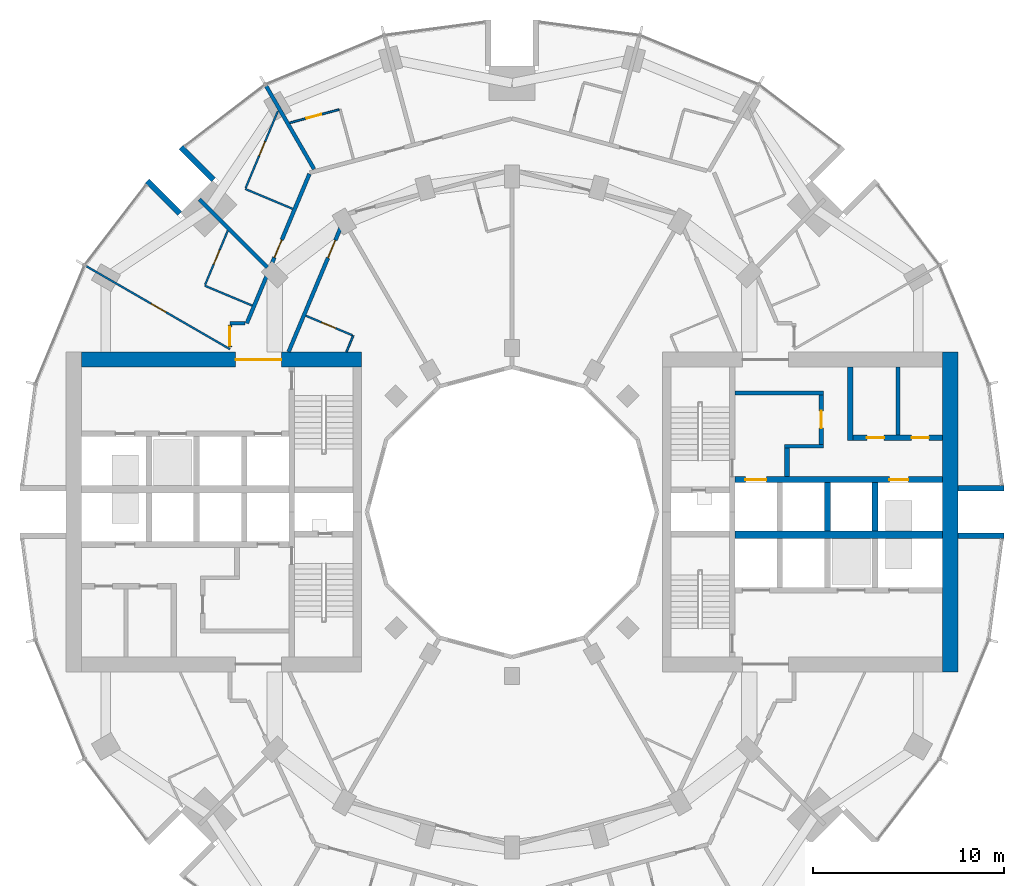
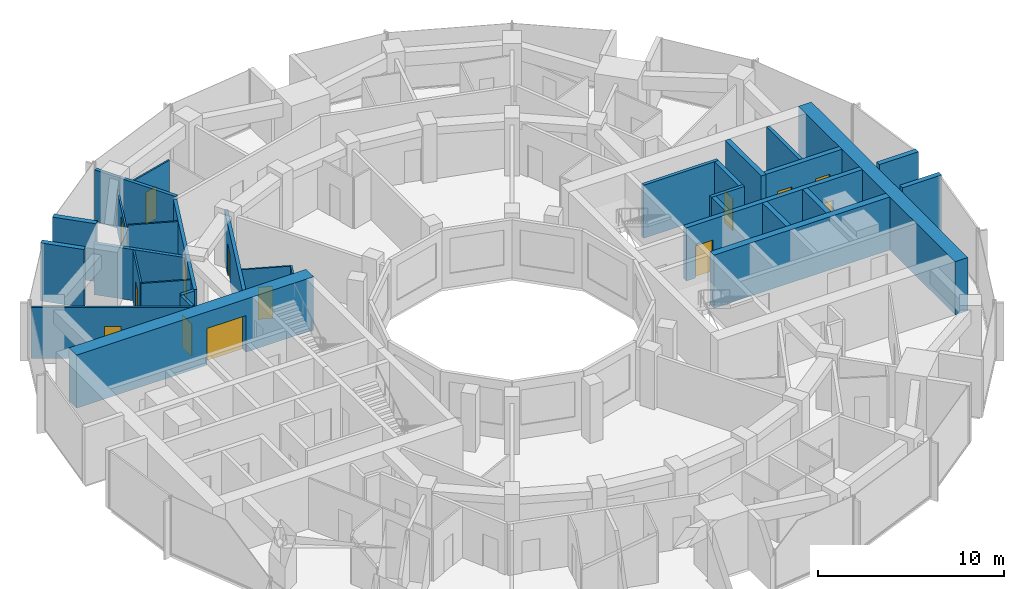
# One storey, part 11 of 15: 31 walls, 14 doors, 14 openings.
"""IFC4 building model written with IfcOpenShell, lengths in metres."""

from ifc_helpers import new_model, si_unit, direction, frame, frame_2d, origin, place, context, subcontext, project, spatial, rectangle, extrude, material, layer, layer_set, type_object, element, fill, save


model = new_model("IFC4")

# Units and contexts
model_context = context("Model", 3, precision=1e-05, world=origin(), true_north=direction((0.0, 1.0)))
body_context = subcontext(model_context, "Body", "Model", "MODEL_VIEW")
ifc_project = project(units=[si_unit("LENGTHUNIT", "METRE"), si_unit("AREAUNIT", "SQUARE_METRE"), si_unit("VOLUMEUNIT", "CUBIC_METRE"), si_unit("PLANEANGLEUNIT", "RADIAN"), si_unit("MASSUNIT", "GRAM", prefix="KILO")], contexts=[model_context])

# Site, building, storey
site_placement = place(None, origin())
site = spatial("IfcSite", under=ifc_project, at=site_placement, CompositionType="ELEMENT")
building_placement = place(site_placement, origin())
building = spatial("IfcBuilding", under=site, at=building_placement, Name="Torre Brocal", CompositionType="ELEMENT")
storey_placement = place(building_placement, frame((0.0, 0.0, 90.0)))
storey = spatial("IfcBuildingStorey", under=building, at=storey_placement, Name="L20", CompositionType="ELEMENT", Elevation=90.0)

# Walls
ifc_material_1 = material(Name="Masonry block", Category="masonry")
ifc_layer_1 = layer(ifc_material_1, 0.199951171875)
ifc_layer_set_1 = layer_set([ifc_layer_1], Name="Masonry block")
wall_type_1 = type_object("IfcWallType", Name="CORE PARTITION 200", PredefinedType="PARTITIONING", material=ifc_layer_set_1)
wall_1_placement = place(storey_placement, frame((100.25, 79.050048828125, 0.0), z_axis=(0.0, 0.0, 1.0), x_axis=(0.0, 1.0, 0.0)))
element("IfcWall", 1, at=wall_1_placement, inside=storey, type_object=wall_type_1, Name="Wall CP200", PredefinedType="PARTITIONING", context=body_context, shape_type="SweptSolid", body=[
    extrude(rectangle(XDim=3.550048828125, YDim=0.199951171875, at=frame_2d((1.77490234375, 0.0))), origin(), (0.0, 0.0, 1.0), 3.47998046875),
])
ifc_material_2 = material(Name="Concrete C80", Category="concrete")
ifc_layer_2 = layer(ifc_material_2, 0.199951171875)
ifc_layer_set_2 = layer_set([ifc_layer_2], Name="Concrete C80")
wall_type_2 = type_object("IfcWallType", Name="CORE WALL 200 C80", PredefinedType="SHEAR", material=ifc_layer_set_2)
wall_2_placement = place(storey_placement, frame((91.699951171875, 81.25, 0.0), z_axis=(0.0, 0.0, 1.0), x_axis=(1.0, 0.0, 0.0)))
element("IfcWall", 2, at=wall_2_placement, inside=storey, type_object=wall_type_2, Name="Wall CW200-80", PredefinedType="SHEAR", context=body_context, shape_type="SweptSolid", body=[
    extrude(rectangle(XDim=4.650146484375, YDim=0.199951171875, at=frame_2d((2.3251953125, 0.0))), origin(), (0.0, 0.0, 1.0), 3.47998046875),
])
wall_3_placement = place(storey_placement, frame((94.300048828125, 78.449951171875, 0.0), z_axis=(0.0, 0.0, 1.0), x_axis=(1.0, 0.0, 0.0)))
element("IfcWall", 3, at=wall_3_placement, inside=storey, type_object=wall_type_2, Name="Wall CW200-80", PredefinedType="SHEAR", context=body_context, shape_type="SweptSolid", body=[
    extrude(rectangle(XDim=2.050048828125, YDim=0.199951171875, at=frame_2d((1.02490234375, 0.0))), origin(), (0.0, 0.0, 1.0), 3.47998046875),
])

# Wall, opening, door
ifc_material_3 = material(Name="Concrete C80", Category="concrete")
ifc_layer_3 = layer(ifc_material_3, 0.25)
ifc_layer_set_3 = layer_set([ifc_layer_3], Name="Concrete C80")
wall_type_3 = type_object("IfcWallType", Name="CORE WALL 250 C80", PredefinedType="SHEAR", material=ifc_layer_set_3)
wall_4_placement = place(storey_placement, frame((96.22509765625, 78.550048828125, 0.0), z_axis=(0.0, 0.0, 1.0), x_axis=(0.0, 1.0, 0.0)))
wall_4 = element("IfcWall", 4, at=wall_4_placement, inside=storey, type_object=wall_type_3, Name="Wall CW250-80", PredefinedType="SHEAR", context=body_context, shape_type="SweptSolid", body=[
    extrude(rectangle(XDim=2.599853515625, YDim=0.25, at=frame_2d((1.2998046875, 0.0))), origin(), (0.0, 0.0, 1.0), 3.47998046875),
])
opening_1_placement = place(wall_4_placement, frame((0.85009765625, 0.0, 0.0)))
opening_1 = element("IfcOpeningElement", 5, at=opening_1_placement, cuts=wall_4, Name="Opening E-D15", PredefinedType="OPENING", context=body_context, shape_type="SweptSolid", body=[
    extrude(rectangle(XDim=0.89990234375, YDim=2.10009765625, at=frame_2d((0.449951171875, 1.050048828125))), frame((0.0, 0.135009765625, 0.0), z_axis=(0.0, -1.0, 0.0), x_axis=(1.0, 0.0, 0.0)), (0.0, 0.0, 1.0), 0.27001953125),
])
ifc_material_4 = material(Name="Steel A653", Category="steel")
door_type_1 = type_object("IfcDoorType", Name="LOBBY DOOR FD120 900X2100", OperationType="SINGLE_SWING_RIGHT", PredefinedType="DOOR", material=ifc_material_4)
door_1_placement = place(opening_1_placement, origin())
door_1 = element("IfcDoor", 6, at=door_1_placement, inside=storey, type_object=door_type_1, Name="Door E-D15", OperationType="SINGLE_SWING_LEFT", OverallHeight=2.10009765625, OverallWidth=0.89990234375, PredefinedType="DOOR", context=body_context, shape_type="SweptSolid", body=[
    extrude(rectangle(XDim=0.89990234375, YDim=2.10009765625, at=frame_2d((0.449951171875, 1.050048828125))), frame((0.0, 0.02490234375, 0.0), z_axis=(0.0, -1.0, 0.0), x_axis=(1.0, 0.0, 0.0)), (0.0, 0.0, 1.0), 0.050048828125),
])
fill(opening_1, door_1)

# Wall
wall_5_placement = place(storey_placement, frame((94.425048828125, 76.85009765625, 0.0), z_axis=(0.0, 0.0, 1.0), x_axis=(0.0, 1.0, 0.0)))
element("IfcWall", 7, at=wall_5_placement, inside=storey, type_object=wall_type_3, Name="Wall CW250-80", PredefinedType="SHEAR", context=body_context, shape_type="SweptSolid", body=[
    extrude(rectangle(XDim=1.5, YDim=0.25, at=frame_2d((0.75, 0.0))), origin(), (0.0, 0.0, 1.0), 3.47998046875),
])

# Wall, openings, doors
ifc_material_5 = material(Name="Concrete C80", Category="concrete")
ifc_layer_4 = layer(ifc_material_5, 0.300048828125)
ifc_layer_set_4 = layer_set([ifc_layer_4], Name="Concrete C80")
wall_type_4 = type_object("IfcWallType", Name="CORE WALL 300 C80", PredefinedType="SHEAR", material=ifc_layer_set_4)
wall_6_placement = place(storey_placement, frame((91.699951171875, 76.699951171875, 0.0), z_axis=(0.0, 0.0, 1.0), x_axis=(1.0, 0.0, 0.0)))
wall_6 = element("IfcWall", 8, at=wall_6_placement, inside=storey, type_object=wall_type_4, Name="Wall CW300-80", PredefinedType="SHEAR", context=body_context, shape_type="SweptSolid", body=[
    extrude(rectangle(XDim=10.900146484375, YDim=0.300048828125, at=frame_2d((5.4501953125, 0.0))), origin(), (0.0, 0.0, 1.0), 3.47998046875),
])
opening_2_placement = place(wall_6_placement, frame((0.550048828125, 0.0, 0.0)))
opening_2 = element("IfcOpeningElement", 9, at=opening_2_placement, cuts=wall_6, Name="Opening LD", PredefinedType="OPENING", context=body_context, shape_type="SweptSolid", body=[
    extrude(rectangle(XDim=1.10009765625, YDim=2.10009765625, at=frame_2d((0.550048828125, 1.050048828125))), frame((0.0, 0.159912109375, 0.0), z_axis=(0.0, -1.0, 0.0), x_axis=(1.0, 0.0, 0.0)), (0.0, 0.0, 1.0), 0.320068359375),
])
opening_3_placement = place(wall_6_placement, frame((8.10009765625, 0.0, 0.0)))
opening_3 = element("IfcOpeningElement", 10, at=opening_3_placement, cuts=wall_6, Name="Opening LD10", PredefinedType="OPENING", context=body_context, shape_type="SweptSolid", body=[
    extrude(rectangle(XDim=1.0, YDim=2.10009765625, at=frame_2d((0.5, 1.050048828125))), frame((0.0, 0.159912109375, 0.0), z_axis=(0.0, -1.0, 0.0), x_axis=(1.0, 0.0, 0.0)), (0.0, 0.0, 1.0), 0.320068359375),
])
ifc_material_6 = material(Name="Stainless steel AISI 316", Category="steel")
door_type_2 = type_object("IfcDoorType", Name="LIFT LANDING DOOR 1000X2100", OperationType="DOUBLE_DOOR_SLIDING", PredefinedType="DOOR", material=ifc_material_6)
door_2_placement = place(opening_3_placement, origin())
door_2 = element("IfcDoor", 11, at=door_2_placement, inside=storey, type_object=door_type_2, Name="Door LD10", OperationType="DOUBLE_DOOR_SLIDING", OverallHeight=2.10009765625, OverallWidth=1.0, PredefinedType="DOOR", context=body_context, shape_type="SweptSolid", body=[
    extrude(rectangle(XDim=1.0, YDim=2.10009765625, at=frame_2d((0.5, 1.050048828125))), frame((0.0, 0.02490234375, 0.0), z_axis=(0.0, -1.0, 0.0), x_axis=(1.0, 0.0, 0.0)), (0.0, 0.0, 1.0), 0.050048828125),
])
fill(opening_3, door_2)
ifc_material_7 = material(Name="Stainless steel AISI 316", Category="steel")
door_type_3 = type_object("IfcDoorType", Name="LIFT LANDING DOOR 1100X2100", OperationType="DOUBLE_DOOR_SLIDING", PredefinedType="DOOR", material=ifc_material_7)
door_3_placement = place(opening_2_placement, origin())
door_3 = element("IfcDoor", 12, at=door_3_placement, inside=storey, type_object=door_type_3, Name="Door LD", OperationType="DOUBLE_DOOR_SLIDING", OverallHeight=2.10009765625, OverallWidth=1.10009765625, PredefinedType="DOOR", context=body_context, shape_type="SweptSolid", body=[
    extrude(rectangle(XDim=1.10009765625, YDim=2.10009765625, at=frame_2d((0.550048828125, 1.050048828125))), frame((0.0, 0.02490234375, 0.0), z_axis=(0.0, -1.0, 0.0), x_axis=(1.0, 0.0, 0.0)), (0.0, 0.0, 1.0), 0.050048828125),
])
fill(opening_2, door_3)

# Walls
for number, where, z_axis, x_axis, name in (
    (13, (96.550048828125, 74.0, 0.0), (0.0, 0.0, 1.0), (0.0, 1.0, 0.0), "Wall CW300-80"),
    (14, (99.050048828125, 74.0, 0.0), (0.0, 0.0, 1.0), (0.0, 1.0, 0.0), "Wall CW300-80"),
):
    element("IfcWall", number, at=place(storey_placement, frame(where, z_axis=z_axis, x_axis=x_axis)), inside=storey, type_object=wall_type_4, Name=name, PredefinedType="SHEAR", context=body_context, shape_type="SweptSolid", body=[
        extrude(rectangle(XDim=2.550048828125, YDim=0.300048828125, at=frame_2d((1.27490234375, 0.0))), origin(), (0.0, 0.0, 1.0), 3.47998046875),
    ])
wall_7_placement = place(storey_placement, frame((97.75, 78.75, 0.0), z_axis=(0.0, 0.0, 1.0), x_axis=(0.0, 1.0, 0.0)))
element("IfcWall", 15, at=wall_7_placement, inside=storey, type_object=wall_type_4, Name="Wall CW300-80", PredefinedType="SHEAR", context=body_context, shape_type="SweptSolid", body=[
    extrude(rectangle(XDim=3.85009765625, YDim=0.300048828125, at=frame_2d((1.925048828125, 0.0))), origin(), (0.0, 0.0, 1.0), 3.47998046875),
])

# Wall, openings, doors
wall_8_placement = place(storey_placement, frame((97.89990234375, 78.89990234375, 0.0), z_axis=(0.0, 0.0, 1.0), x_axis=(1.0, 0.0, 0.0)))
wall_8 = element("IfcWall", 16, at=wall_8_placement, inside=storey, type_object=wall_type_4, Name="Wall CW300-80", PredefinedType="SHEAR", context=body_context, shape_type="SweptSolid", body=[
    extrude(rectangle(XDim=4.7001953125, YDim=0.300048828125, at=frame_2d((2.35009765625, 0.0))), origin(), (0.0, 0.0, 1.0), 3.47998046875),
])
opening_4_placement = place(wall_8_placement, frame((0.72509765625, 0.0, 0.0)))
opening_4 = element("IfcOpeningElement", 17, at=opening_4_placement, cuts=wall_8, Name="Opening E-D05", PredefinedType="OPENING", context=body_context, shape_type="SweptSolid", body=[
    extrude(rectangle(XDim=0.89990234375, YDim=2.10009765625, at=frame_2d((0.449951171875, 1.050048828125))), frame((0.0, 0.159912109375, 0.0), z_axis=(0.0, -1.0, 0.0), x_axis=(1.0, 0.0, 0.0)), (0.0, 0.0, 1.0), 0.320068359375),
])
opening_5_placement = place(wall_8_placement, frame((3.074951171875, 0.0, 0.0)))
opening_5 = element("IfcOpeningElement", 18, at=opening_5_placement, cuts=wall_8, Name="Opening E-D06", PredefinedType="OPENING", context=body_context, shape_type="SweptSolid", body=[
    extrude(rectangle(XDim=0.89990234375, YDim=2.10009765625, at=frame_2d((0.449951171875, 1.050048828125))), frame((0.0, 0.159912109375, 0.0), z_axis=(0.0, -1.0, 0.0), x_axis=(1.0, 0.0, 0.0)), (0.0, 0.0, 1.0), 0.320068359375),
])
ifc_material_8 = material(Name="Steel A653", Category="steel")
door_type_4 = type_object("IfcDoorType", Name="ROOM DOOR FD30S 900X2100", OperationType="SINGLE_SWING_LEFT", PredefinedType="DOOR", material=ifc_material_8)
door_4_placement = place(opening_4_placement, origin())
door_4 = element("IfcDoor", 19, at=door_4_placement, inside=storey, type_object=door_type_4, Name="Door E-D05", OperationType="SINGLE_SWING_RIGHT", OverallHeight=2.10009765625, OverallWidth=0.89990234375, PredefinedType="DOOR", context=body_context, shape_type="SweptSolid", body=[
    extrude(rectangle(XDim=0.89990234375, YDim=2.10009765625, at=frame_2d((0.449951171875, 1.050048828125))), frame((0.0, 0.02490234375, 0.0), z_axis=(0.0, -1.0, 0.0), x_axis=(1.0, 0.0, 0.0)), (0.0, 0.0, 1.0), 0.050048828125),
])
fill(opening_4, door_4)
door_5_placement = place(opening_5_placement, origin())
door_5 = element("IfcDoor", 20, at=door_5_placement, inside=storey, type_object=door_type_4, Name="Door E-D06", OperationType="SINGLE_SWING_LEFT", OverallHeight=2.10009765625, OverallWidth=0.89990234375, PredefinedType="DOOR", context=body_context, shape_type="SweptSolid", body=[
    extrude(rectangle(XDim=0.89990234375, YDim=2.10009765625, at=frame_2d((0.449951171875, 1.050048828125))), frame((0.0, 0.02490234375, 0.0), z_axis=(0.0, -1.0, 0.0), x_axis=(1.0, 0.0, 0.0)), (0.0, 0.0, 1.0), 0.050048828125),
])
fill(opening_5, door_5)

# Walls
ifc_material_9 = material(Name="Concrete C80", Category="concrete")
ifc_layer_5 = layer(ifc_material_9, 0.39990234375)
ifc_layer_set_5 = layer_set([ifc_layer_5], Name="Concrete C80")
wall_type_5 = type_object("IfcWallType", Name="CORE WALL 400 C80", PredefinedType="SHEAR", material=ifc_layer_set_5)
wall_9_placement = place(storey_placement, frame((91.699951171875, 73.800048828125, 0.0), z_axis=(0.0, 0.0, 1.0), x_axis=(1.0, 0.0, 0.0)))
element("IfcWall", 21, at=wall_9_placement, inside=storey, type_object=wall_type_5, Name="Wall CW400-80", PredefinedType="SHEAR", context=body_context, shape_type="SweptSolid", body=[
    extrude(rectangle(XDim=10.900146484375, YDim=0.39990234375, at=frame_2d((5.4501953125, 0.0))), origin(), (0.0, 0.0, 1.0), 3.47998046875),
])
ifc_material_10 = material(Name="Concrete C80", Category="concrete")
ifc_layer_6 = layer(ifc_material_10, 0.800048828125)
ifc_layer_set_6 = layer_set([ifc_layer_6], Name="Concrete C80")
wall_type_6 = type_object("IfcWallType", Name="CORE WALL 800 C80", PredefinedType="SHEAR", material=ifc_layer_set_6)
wall_10_placement = place(storey_placement, frame((103.0, 66.60009765625, 0.0), z_axis=(0.0, 0.0, 1.0), x_axis=(0.0, 1.0, 0.0)))
element("IfcWall", 22, at=wall_10_placement, inside=storey, type_object=wall_type_6, Name="Wall CW800-80", PredefinedType="SHEAR", context=body_context, shape_type="SweptSolid", body=[
    extrude(rectangle(XDim=16.7998046875, YDim=0.800048828125, at=frame_2d((8.39990234375, 0.0))), origin(), (0.0, 0.0, 1.0), 3.47998046875),
])

# Wall, opening, door
wall_11_placement = place(storey_placement, frame((72.10009765625, 83.0, 0.0), z_axis=(0.0, 0.0, 1.0), x_axis=(-1.0, 0.0, 0.0)))
wall_11 = element("IfcWall", 23, at=wall_11_placement, inside=storey, type_object=wall_type_6, Name="Wall CW800-80", PredefinedType="SHEAR", context=body_context, shape_type="SweptSolid", body=[
    extrude(rectangle(XDim=14.7001953125, YDim=0.800048828125, at=frame_2d((7.35009765625, 0.0))), origin(), (0.0, 0.0, 1.0), 3.47998046875),
])
opening_6_placement = place(wall_11_placement, frame((4.199951171875, 0.0, 0.0)))
opening_6 = element("IfcOpeningElement", 24, at=opening_6_placement, cuts=wall_11, Name="Opening W-D27", PredefinedType="OPENING", context=body_context, shape_type="SweptSolid", body=[
    extrude(rectangle(XDim=2.39990234375, YDim=2.39990234375, at=frame_2d((1.199951171875, 1.199951171875))), frame((0.0, 0.409912109375, 0.0), z_axis=(0.0, -1.0, 0.0), x_axis=(1.0, 0.0, 0.0)), (0.0, 0.0, 1.0), 0.820068359375),
])
ifc_material_11 = material(Name="Steel A653", Category="steel")
door_type_5 = type_object("IfcDoorType", Name="DOUBLE FIRE DOOR FD90 2400X2400", OperationType="DOUBLE_DOOR_SINGLE_SWING", PredefinedType="DOOR", material=ifc_material_11)
door_6_placement = place(opening_6_placement, origin())
door_6 = element("IfcDoor", 25, at=door_6_placement, inside=storey, type_object=door_type_5, Name="Door W-D27", OperationType="DOUBLE_DOOR_SINGLE_SWING", OverallHeight=2.39990234375, OverallWidth=2.39990234375, PredefinedType="DOOR", context=body_context, shape_type="SweptSolid", body=[
    extrude(rectangle(XDim=2.39990234375, YDim=2.39990234375, at=frame_2d((1.199951171875, 1.199951171875))), frame((0.0, 0.02490234375, 0.0), z_axis=(0.0, -1.0, 0.0), x_axis=(1.0, 0.0, 0.0)), (0.0, 0.0, 1.0), 0.050048828125),
])
fill(opening_6, door_6)

# Walls
ifc_material_12 = material(Name="Concrete C80", Category="concrete")
ifc_layer_7 = layer(ifc_material_12, 0.300048828125)
ifc_layer_set_7 = layer_set([ifc_layer_7], Name="Concrete C80")
wall_type_7 = type_object("IfcWallType", Name="NOTCH RETURN WALL 300 C80", PredefinedType="NOTDEFINED", material=ifc_layer_set_7)
for number, where, z_axis, x_axis, name in (
    (26, (103.39990234375, 73.75, 0.0), (0.0, 0.0, 1.0), (1.0, 0.0, 0.0), "NOTCH RETURN WALL"),
    (27, (103.39990234375, 76.25, 0.0), (0.0, 0.0, 1.0), (1.0, 0.0, 0.0), "NOTCH RETURN WALL"),
    (28, (64.337646484375, 92.43017578125, 0.0), (0.0, 0.0, 1.0), (-0.707106781187, 0.707106781187, 0.0), "NOTCH RETURN WALL"),
    (29, (62.56982421875, 90.662353515625, 0.0), (0.0, 0.0, 1.0), (-0.707106781187, 0.707106781187, 0.0), "NOTCH RETURN WALL"),
):
    element("IfcWall", number, at=place(storey_placement, frame(where, z_axis=z_axis, x_axis=x_axis)), inside=storey, type_object=wall_type_7, Name=name, PredefinedType="NOTDEFINED", context=body_context, shape_type="SweptSolid", body=[
        extrude(rectangle(XDim=2.415771484375, YDim=0.300048828125, at=frame_2d((1.2080078125, 0.0))), origin(), (0.0, 0.0, 1.0), 3.800048828125),
    ])

# Wall, opening, door
ifc_material_13 = material(Name="Gypsum board", Category="Gypsum")
ifc_layer_8 = layer(ifc_material_13, 0.10009765625)
ifc_layer_set_8 = layer_set([ifc_layer_8], Name="Gypsum board")
wall_type_8 = type_object("IfcWallType", Name="PARTITION 100", PredefinedType="PARTITIONING", material=ifc_layer_set_8)
wall_12_placement = place(storey_placement, frame((57.65869140625, 87.89892578125, 0.0), z_axis=(0.0, 0.0, 1.0), x_axis=(0.86602264145, -0.500004784474, 0.0)))
wall_12 = element("IfcWall", 30, at=wall_12_placement, inside=storey, type_object=wall_type_8, Name="ROOM PARTITION", PredefinedType="PARTITIONING", context=body_context, shape_type="SweptSolid", body=[
    extrude(rectangle(XDim=8.7080078125, YDim=0.10009765625, at=frame_2d((4.35400390625, 0.0))), origin(), (0.0, 0.0, 1.0), 3.35009765625),
])
opening_7_placement = place(wall_12_placement, frame((3.928955078125, 0.0, 0.0)))
opening_7 = element("IfcOpeningElement", 31, at=opening_7_placement, cuts=wall_12, Name="Opening H05-D16", PredefinedType="OPENING", context=body_context, shape_type="SweptSolid", body=[
    extrude(rectangle(XDim=0.89990234375, YDim=2.10009765625, at=frame_2d((0.449951171875, 1.050048828125))), frame((0.0, 0.06005859375, 0.0), z_axis=(0.0, -1.0, 0.0), x_axis=(1.0, 0.0, 0.0)), (0.0, 0.0, 1.0), 0.1201171875),
])
ifc_material_14 = material(Name="Timber", Category="wood")
door_type_6 = type_object("IfcDoorType", Name="ROOM DOOR 900X2100", OperationType="SINGLE_SWING_LEFT", PredefinedType="DOOR", material=ifc_material_14)
door_7_placement = place(opening_7_placement, frame((0.89990234375, 0.0, 0.0), z_axis=(0.0, 0.0, 1.0), x_axis=(-1.0, 0.0, 0.0)))
door_7 = element("IfcDoor", 32, at=door_7_placement, inside=storey, type_object=door_type_6, Name="H05-D16", OperationType="SINGLE_SWING_LEFT", OverallHeight=2.10009765625, OverallWidth=0.89990234375, PredefinedType="DOOR", context=body_context, shape_type="SweptSolid", body=[
    extrude(rectangle(XDim=0.89990234375, YDim=2.10009765625, at=frame_2d((0.449951171875, 1.050048828125))), frame((0.0, 0.02490234375, 0.0), z_axis=(0.0, -1.0, 0.0), x_axis=(1.0, 0.0, 0.0)), (0.0, 0.0, 1.0), 0.050048828125),
])
fill(opening_7, door_7)

wall_13_placement = place(storey_placement, frame((63.89599609375, 86.92041015625, 0.0), z_axis=(0.0, 0.0, 1.0), x_axis=(0.386485049699, 0.922295671875, 0.0)))
wall_13 = element("IfcWall", 33, at=wall_13_placement, inside=storey, type_object=wall_type_8, Name="BATHROOM WALL", PredefinedType="PARTITIONING", context=body_context, shape_type="SweptSolid", body=[
    extrude(rectangle(XDim=3.076904296875, YDim=0.10009765625, at=frame_2d((1.53857421875, 0.0))), origin(), (0.0, 0.0, 1.0), 3.35009765625),
])
opening_8_placement = place(wall_13_placement, frame((1.173583984375, 0.0, 0.0)))
opening_8 = element("IfcOpeningElement", 34, at=opening_8_placement, cuts=wall_13, Name="Opening H05-D15", PredefinedType="OPENING", context=body_context, shape_type="SweptSolid", body=[
    extrude(rectangle(XDim=0.800048828125, YDim=2.10009765625, at=frame_2d((0.39990234375, 1.050048828125))), frame((0.0, 0.06005859375, 0.0), z_axis=(0.0, -1.0, 0.0), x_axis=(1.0, 0.0, 0.0)), (0.0, 0.0, 1.0), 0.1201171875),
])
ifc_material_15 = material(Name="Timber", Category="wood")
door_type_7 = type_object("IfcDoorType", Name="BATHROOM DOOR 800X2100", OperationType="SINGLE_SWING_LEFT", PredefinedType="DOOR", material=ifc_material_15)
door_8_placement = place(opening_8_placement, frame((0.800048828125, 0.0, 0.0), z_axis=(0.0, 0.0, 1.0), x_axis=(-1.0, 0.0, 0.0)))
door_8 = element("IfcDoor", 35, at=door_8_placement, inside=storey, type_object=door_type_7, Name="H05-D15", OperationType="SINGLE_SWING_LEFT", OverallHeight=2.10009765625, OverallWidth=0.800048828125, PredefinedType="DOOR", context=body_context, shape_type="SweptSolid", body=[
    extrude(rectangle(XDim=0.800048828125, YDim=2.10009765625, at=frame_2d((0.39990234375, 1.050048828125))), frame((0.0, 0.02490234375, 0.0), z_axis=(0.0, -1.0, 0.0), x_axis=(1.0, 0.0, 0.0)), (0.0, 0.0, 1.0), 0.050048828125),
])
fill(opening_8, door_8)

# Walls
for number, where, z_axis, x_axis, name in (
    (36, (63.876953125, 86.8740234375, 0.0), (0.0, 0.0, 1.0), (0.922350337209, -0.386354572188, 0.0), "BATHROOM WALL"),
    (37, (66.0029296875, 91.949951171875, 0.0), (0.0, 0.0, 1.0), (0.922350337209, -0.386354572188, 0.0), "BATHROOM WALL"),
):
    element("IfcWall", number, at=place(storey_placement, frame(where, z_axis=z_axis, x_axis=x_axis)), inside=storey, type_object=wall_type_8, Name=name, PredefinedType="PARTITIONING", context=body_context, shape_type="SweptSolid", body=[
        extrude(rectangle(XDim=2.7001953125, YDim=0.10009765625, at=frame_2d((1.35009765625, 0.0))), origin(), (0.0, 0.0, 1.0), 3.35009765625),
    ])

# Wall, opening, door
wall_14_placement = place(storey_placement, frame((68.34326171875, 95.421142578125, 0.0), z_axis=(0.0, 0.0, 1.0), x_axis=(0.965922846648, 0.258830165017, 0.0)))
wall_14 = element("IfcWall", 38, at=wall_14_placement, inside=storey, type_object=wall_type_8, Name="BATHROOM WALL", PredefinedType="PARTITIONING", context=body_context, shape_type="SweptSolid", body=[
    extrude(rectangle(XDim=2.6806640625, YDim=0.10009765625, at=frame_2d((1.34033203125, 0.0))), origin(), (0.0, 0.0, 1.0), 3.35009765625),
])
opening_9_placement = place(wall_14_placement, frame((0.905029296875, 0.0, 0.0)))
opening_9 = element("IfcOpeningElement", 39, at=opening_9_placement, cuts=wall_14, Name="Opening H05-D11", PredefinedType="OPENING", context=body_context, shape_type="SweptSolid", body=[
    extrude(rectangle(XDim=0.800048828125, YDim=2.10009765625, at=frame_2d((0.39990234375, 1.050048828125))), frame((0.0, 0.06005859375, 0.0), z_axis=(0.0, -1.0, 0.0), x_axis=(1.0, 0.0, 0.0)), (0.0, 0.0, 1.0), 0.1201171875),
])
door_9_placement = place(opening_9_placement, frame((0.800048828125, 0.0, 0.0), z_axis=(0.0, 0.0, 1.0), x_axis=(-1.0, 0.0, 0.0)))
door_9 = element("IfcDoor", 40, at=door_9_placement, inside=storey, type_object=door_type_7, Name="H05-D11", OperationType="SINGLE_SWING_RIGHT", OverallHeight=2.10009765625, OverallWidth=0.800048828125, PredefinedType="DOOR", context=body_context, shape_type="SweptSolid", body=[
    extrude(rectangle(XDim=0.800048828125, YDim=2.10009765625, at=frame_2d((0.39990234375, 1.050048828125))), frame((0.0, 0.02490234375, 0.0), z_axis=(0.0, -1.0, 0.0), x_axis=(1.0, 0.0, 0.0)), (0.0, 0.0, 1.0), 0.050048828125),
])
fill(opening_9, door_9)

wall_15_placement = place(storey_placement, frame((69.1806640625, 85.298095703125, 0.0), z_axis=(0.0, 0.0, 1.0), x_axis=(0.922377635784, -0.38628939541, 0.0)))
wall_15 = element("IfcWall", 41, at=wall_15_placement, inside=storey, type_object=wall_type_8, Name="BATHROOM WALL", PredefinedType="PARTITIONING", context=body_context, shape_type="SweptSolid", body=[
    extrude(rectangle(XDim=2.650146484375, YDim=0.10009765625, at=frame_2d((1.3251953125, 0.0))), origin(), (0.0, 0.0, 1.0), 3.35009765625),
])
opening_10_placement = place(wall_15_placement, frame((0.89990234375, 0.0, 0.0)))
opening_10 = element("IfcOpeningElement", 42, at=opening_10_placement, cuts=wall_15, Name="Opening H05-D23", PredefinedType="OPENING", context=body_context, shape_type="SweptSolid", body=[
    extrude(rectangle(XDim=0.800048828125, YDim=2.10009765625, at=frame_2d((0.39990234375, 1.050048828125))), frame((0.0, 0.06005859375, 0.0), z_axis=(0.0, -1.0, 0.0), x_axis=(1.0, 0.0, 0.0)), (0.0, 0.0, 1.0), 0.1201171875),
])
door_10_placement = place(opening_10_placement, frame((0.800048828125, 0.0, 0.0), z_axis=(0.0, 0.0, 1.0), x_axis=(-1.0, 0.0, 0.0)))
door_10 = element("IfcDoor", 43, at=door_10_placement, inside=storey, type_object=door_type_7, Name="H05-D23", OperationType="SINGLE_SWING_RIGHT", OverallHeight=2.10009765625, OverallWidth=0.800048828125, PredefinedType="DOOR", context=body_context, shape_type="SweptSolid", body=[
    extrude(rectangle(XDim=0.800048828125, YDim=2.10009765625, at=frame_2d((0.39990234375, 1.050048828125))), frame((0.0, 0.02490234375, 0.0), z_axis=(0.0, -1.0, 0.0), x_axis=(1.0, 0.0, 0.0)), (0.0, 0.0, 1.0), 0.050048828125),
])
fill(opening_10, door_10)

# Wall
wall_16_placement = place(storey_placement, frame((71.31298828125, 83.39990234375, 0.0), z_axis=(0.0, 0.0, 1.0), x_axis=(0.386148512695, 0.922436624459, 0.0)))
element("IfcWall", 44, at=wall_16_placement, inside=storey, type_object=wall_type_8, Name="BATHROOM WALL", PredefinedType="PARTITIONING", context=body_context, shape_type="SweptSolid", body=[
    extrude(rectangle(XDim=0.9267578125, YDim=0.10009765625, at=frame_2d((0.46337890625, 0.0))), origin(), (0.0, 0.0, 1.0), 3.35009765625),
])

# Wall, opening, door
ifc_material_16 = material(Name="Gypsum board", Category="Gypsum")
ifc_layer_9 = layer(ifc_material_16, 0.10009765625)
ifc_layer_set_9 = layer_set([ifc_layer_9], Name="Gypsum board")
wall_type_9 = type_object("IfcWallType", Name="PARTITION 100 UNDER BEAM 1220", PredefinedType="PARTITIONING", material=ifc_layer_set_9)
wall_17_placement = place(storey_placement, frame((66.022705078125, 91.995849609375, 0.0), z_axis=(0.0, 0.0, 1.0), x_axis=(0.386497426192, 0.922290485447, 0.0)))
wall_17 = element("IfcWall", 45, at=wall_17_placement, inside=storey, type_object=wall_type_9, Name="BATHROOM WALL", PredefinedType="PARTITIONING", context=body_context, shape_type="SweptSolid", body=[
    extrude(rectangle(XDim=4.382568359375, YDim=0.10009765625, at=frame_2d((2.19140625, 0.0))), origin(), (0.0, 0.0, 1.0), 2.580078125),
])
opening_11_placement = place(wall_17_placement, frame((1.84130859375, 0.0, 0.0)))
opening_11 = element("IfcOpeningElement", 46, at=opening_11_placement, cuts=wall_17, Name="Opening H05-D13", PredefinedType="OPENING", context=body_context, shape_type="SweptSolid", body=[
    extrude(rectangle(XDim=0.800048828125, YDim=2.10009765625, at=frame_2d((0.39990234375, 1.050048828125))), frame((0.0, 0.06005859375, 0.0), z_axis=(0.0, -1.0, 0.0), x_axis=(1.0, 0.0, 0.0)), (0.0, 0.0, 1.0), 0.1201171875),
])
door_11_placement = place(opening_11_placement, frame((0.800048828125, 0.0, 0.0), z_axis=(0.0, 0.0, 1.0), x_axis=(-1.0, 0.0, 0.0)))
door_11 = element("IfcDoor", 47, at=door_11_placement, inside=storey, type_object=door_type_7, Name="H05-D13", OperationType="SINGLE_SWING_LEFT", OverallHeight=2.10009765625, OverallWidth=0.800048828125, PredefinedType="DOOR", context=body_context, shape_type="SweptSolid", body=[
    extrude(rectangle(XDim=0.800048828125, YDim=2.10009765625, at=frame_2d((0.39990234375, 1.050048828125))), frame((0.0, 0.02490234375, 0.0), z_axis=(0.0, -1.0, 0.0), x_axis=(1.0, 0.0, 0.0)), (0.0, 0.0, 1.0), 0.050048828125),
])
fill(opening_11, door_11)

# Wall
ifc_material_17 = material(Name="Gypsum board", Category="Gypsum")
ifc_layer_10 = layer(ifc_material_17, 0.199951171875)
ifc_layer_set_10 = layer_set([ifc_layer_10], Name="Gypsum board")
wall_type_10 = type_object("IfcWallType", Name="PARTITION 200 EI60", PredefinedType="PARTITIONING", material=ifc_layer_set_10)
wall_18_placement = place(storey_placement, frame((63.599609375, 91.4091796875, 0.0), z_axis=(0.0, 0.0, 1.0), x_axis=(0.70693749829, -0.707276023566, 0.0)))
element("IfcWall", 48, at=wall_18_placement, inside=storey, type_object=wall_type_10, Name="BATHROOM WALL", PredefinedType="PARTITIONING", context=body_context, shape_type="SweptSolid", body=[
    extrude(rectangle(XDim=5.04833984375, YDim=0.199951171875, at=frame_2d((2.524169921875, 0.0))), origin(), (0.0, 0.0, 1.0), 3.35009765625),
])

# Wall, opening, door
wall_19_placement = place(storey_placement, frame((65.199951171875, 83.64990234375, 0.0), z_axis=(0.0, 0.0, 1.0), x_axis=(0.0, 1.0, 0.0)))
wall_19 = element("IfcWall", 49, at=wall_19_placement, inside=storey, type_object=wall_type_10, Name="GUESTROOM CORRIDOR WALL", PredefinedType="PARTITIONING", context=body_context, shape_type="SweptSolid", body=[
    extrude(rectangle(XDim=1.150146484375, YDim=0.199951171875, at=frame_2d((0.5751953125, 0.0))), origin(), (0.0, 0.0, 1.0), 3.35009765625),
])
opening_12_placement = place(wall_19_placement, frame((0.0625, 0.0, 0.0)))
opening_12 = element("IfcOpeningElement", 50, at=opening_12_placement, cuts=wall_19, Name="Opening H05-D14", PredefinedType="OPENING", context=body_context, shape_type="SweptSolid", body=[
    extrude(rectangle(XDim=1.0, YDim=2.10009765625, at=frame_2d((0.5, 1.050048828125))), frame((0.0, 0.10986328125, 0.0), z_axis=(0.0, -1.0, 0.0), x_axis=(1.0, 0.0, 0.0)), (0.0, 0.0, 1.0), 0.219970703125),
])
ifc_material_18 = material(Name="Timber", Category="wood")
door_type_8 = type_object("IfcDoorType", Name="FLAT ENTRY DOOR FD30S 1000X2100", OperationType="SINGLE_SWING_RIGHT", PredefinedType="DOOR", material=ifc_material_18)
door_12_placement = place(opening_12_placement, origin())
door_12 = element("IfcDoor", 51, at=door_12_placement, inside=storey, type_object=door_type_8, Name="H05-D14", OperationType="SINGLE_SWING_RIGHT", OverallHeight=2.10009765625, OverallWidth=1.0, PredefinedType="DOOR", context=body_context, shape_type="SweptSolid", body=[
    extrude(rectangle(XDim=1.0, YDim=2.10009765625, at=frame_2d((0.5, 1.050048828125))), frame((0.0, 0.02490234375, 0.0), z_axis=(0.0, -1.0, 0.0), x_axis=(1.0, 0.0, 0.0)), (0.0, 0.0, 1.0), 0.050048828125),
])
fill(opening_12, door_12)

# Wall
wall_20_placement = place(storey_placement, frame((65.199951171875, 84.89990234375, 0.0), z_axis=(0.0, 0.0, 1.0), x_axis=(1.0, 0.0, 0.0)))
element("IfcWall", 52, at=wall_20_placement, inside=storey, type_object=wall_type_10, Name="GUESTROOM CORRIDOR WALL", PredefinedType="PARTITIONING", context=body_context, shape_type="SweptSolid", body=[
    extrude(rectangle(XDim=0.796142578125, YDim=0.199951171875, at=frame_2d((0.39794921875, 0.0))), origin(), (0.0, 0.0, 1.0), 3.35009765625),
])

# Wall, opening, door
wall_21_placement = place(storey_placement, frame((66.085205078125, 84.900390625, 0.0), z_axis=(0.0, 0.0, 1.0), x_axis=(0.386676248006, 0.922215527536, 0.0)))
wall_21 = element("IfcWall", 53, at=wall_21_placement, inside=storey, type_object=wall_type_10, Name="GUESTROOM CORRIDOR WALL", PredefinedType="PARTITIONING", context=body_context, shape_type="SweptSolid", body=[
    extrude(rectangle(XDim=8.500244140625, YDim=0.199951171875, at=frame_2d((4.25, 0.0))), origin(), (0.0, 0.0, 1.0), 3.35009765625),
])
opening_13_placement = place(wall_21_placement, frame((3.74755859375, 0.0, 0.0)))
opening_13 = element("IfcOpeningElement", 54, at=opening_13_placement, cuts=wall_21, Name="Opening H05-D12", PredefinedType="OPENING", context=body_context, shape_type="SweptSolid", body=[
    extrude(rectangle(XDim=1.0, YDim=2.10009765625, at=frame_2d((0.5, 1.050048828125))), frame((0.0, 0.10986328125, 0.0), z_axis=(0.0, -1.0, 0.0), x_axis=(1.0, 0.0, 0.0)), (0.0, 0.0, 1.0), 0.219970703125),
])
door_13_placement = place(opening_13_placement, origin())
door_13 = element("IfcDoor", 55, at=door_13_placement, inside=storey, type_object=door_type_8, Name="H05-D12", OperationType="SINGLE_SWING_LEFT", OverallHeight=2.10009765625, OverallWidth=1.0, PredefinedType="DOOR", context=body_context, shape_type="SweptSolid", body=[
    extrude(rectangle(XDim=1.0, YDim=2.10009765625, at=frame_2d((0.5, 1.050048828125))), frame((0.0, 0.02490234375, 0.0), z_axis=(0.0, -1.0, 0.0), x_axis=(1.0, 0.0, 0.0)), (0.0, 0.0, 1.0), 0.050048828125),
])
fill(opening_13, door_13)

# Wall
wall_22_placement = place(storey_placement, frame((67.1044921875, 97.34326171875, 0.0), z_axis=(0.0, 0.0, 1.0), x_axis=(0.499799615385, -0.866141064989, 0.0)))
element("IfcWall", 56, at=wall_22_placement, inside=storey, type_object=wall_type_10, Name="BATHROOM WALL", PredefinedType="PARTITIONING", context=body_context, shape_type="SweptSolid", body=[
    extrude(rectangle(XDim=5.021484375, YDim=0.199951171875, at=frame_2d((2.5107421875, 0.0))), origin(), (0.0, 0.0, 1.0), 3.35009765625),
])

# Wall, opening, door
wall_23_placement = place(storey_placement, frame((68.276611328125, 83.400146484375, 0.0), z_axis=(0.0, 0.0, 1.0), x_axis=(0.386454861164, 0.922308321703, 0.0)))
wall_23 = element("IfcWall", 57, at=wall_23_placement, inside=storey, type_object=wall_type_10, Name="GUESTROOM CORRIDOR WALL", PredefinedType="PARTITIONING", context=body_context, shape_type="SweptSolid", body=[
    extrude(rectangle(XDim=7.76220703125, YDim=0.199951171875, at=frame_2d((3.881103515625, 0.0))), origin(), (0.0, 0.0, 1.0), 3.35009765625),
])
opening_14_placement = place(wall_23_placement, frame((5.3505859375, 0.0, 0.0)))
opening_14 = element("IfcOpeningElement", 58, at=opening_14_placement, cuts=wall_23, Name="Opening H05-D22", PredefinedType="OPENING", context=body_context, shape_type="SweptSolid", body=[
    extrude(rectangle(XDim=1.0, YDim=2.10009765625, at=frame_2d((0.5, 1.050048828125))), frame((0.0, 0.10986328125, 0.0), z_axis=(0.0, -1.0, 0.0), x_axis=(1.0, 0.0, 0.0)), (0.0, 0.0, 1.0), 0.219970703125),
])
door_14_placement = place(opening_14_placement, frame((1.0, 0.0, 0.0), z_axis=(0.0, 0.0, 1.0), x_axis=(-1.0, 0.0, 0.0)))
door_14 = element("IfcDoor", 59, at=door_14_placement, inside=storey, type_object=door_type_8, Name="H05-D22", OperationType="SINGLE_SWING_LEFT", OverallHeight=2.10009765625, OverallWidth=1.0, PredefinedType="DOOR", context=body_context, shape_type="SweptSolid", body=[
    extrude(rectangle(XDim=1.0, YDim=2.10009765625, at=frame_2d((0.5, 1.050048828125))), frame((0.0, 0.02490234375, 0.0), z_axis=(0.0, -1.0, 0.0), x_axis=(1.0, 0.0, 0.0)), (0.0, 0.0, 1.0), 0.050048828125),
])
fill(opening_14, door_14)

save(model, "model.ifc")
